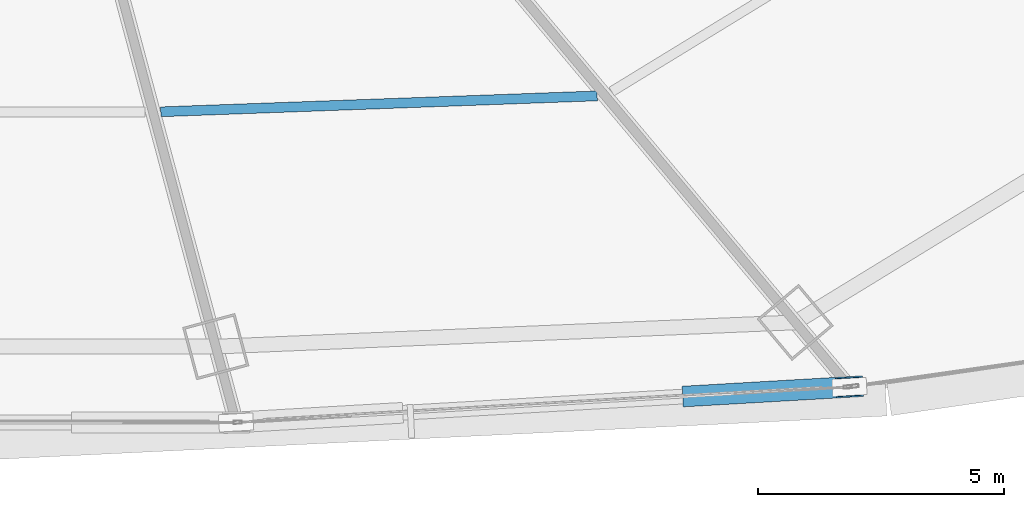
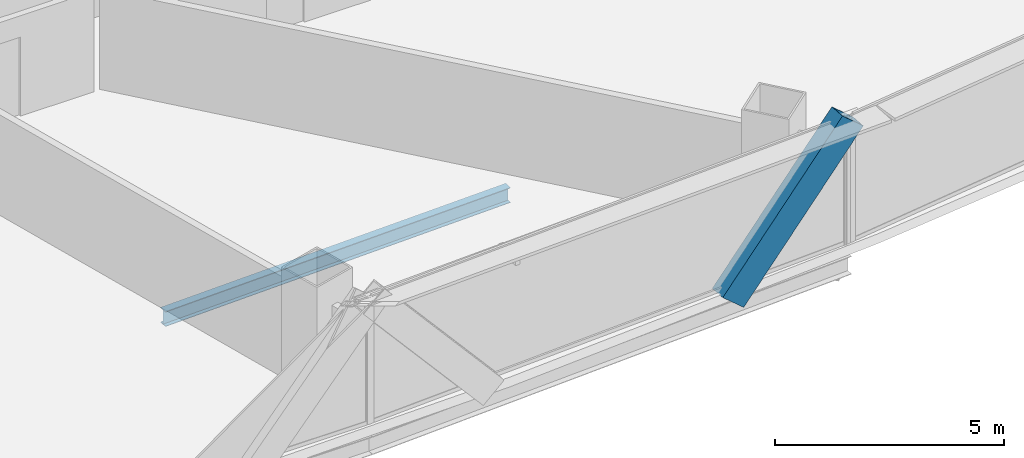
# One storey, part 11 of 42: 1 beam, 1 member.
"""IFC4 building model written with IfcOpenShell, lengths in metres."""

from ifc_helpers import new_model, si_unit, direction, frame, origin, origin_2d, place, context, subcontext, project, spatial, hollow_rectangle, i_section, extrude, source, transform, mapped, material, material_profile, profile_set, type_object, element, save


model = new_model("IFC4")

# Units and contexts
model_context = context("Model", 3, precision=1e-05, world=origin(), true_north=direction((0.0, 1.0)))
body_context = subcontext(model_context, "Body", "Model", "MODEL_VIEW")
ifc_project = project(units=[si_unit("LENGTHUNIT", "METRE"), si_unit("AREAUNIT", "SQUARE_METRE"), si_unit("VOLUMEUNIT", "CUBIC_METRE"), si_unit("PLANEANGLEUNIT", "RADIAN"), si_unit("MASSUNIT", "GRAM", prefix="KILO"), si_unit("THERMODYNAMICTEMPERATUREUNIT", "KELVIN"), si_unit("POWERUNIT", "WATT")], contexts=[model_context])

# Site, building, storey
site_placement = place(None, origin())
site = spatial("IfcSite", under=ifc_project, at=site_placement, CompositionType="ELEMENT")
building_placement = place(site_placement, origin())
building = spatial("IfcBuilding", under=site, at=building_placement, Name="Yunzhuo Pagoda Commons", CompositionType="ELEMENT")
storey_placement = place(building_placement, frame((0.0, 0.0, 44.919921875)))
storey = spatial("IfcBuildingStorey", under=building, at=storey_placement, Name="L11", CompositionType="ELEMENT", Elevation=44.919921875)

# Beam
ifc_material_1 = material(Name="Structural steel Q355B", Category="steel")
ifc_material_profile_1 = material_profile(ifc_material_1, i_section(OverallWidth=0.199951171875, OverallDepth=0.39990234375, WebThickness=0.008056640625, FlangeThickness=0.012939453125, at=origin_2d()), Name="Structural steel Q355B")
ifc_profile_set_1 = profile_set([ifc_material_profile_1], Name="Structural steel Q355B")
beam_type = type_object("IfcBeamType", Name="B-JS1 Joist HN 400x200x8x13", PredefinedType="JOIST", material=ifc_profile_set_1)
shared_shape_1 = source(origin(), body_context, "Body", "SweptSolid", [
    extrude(i_section(OverallWidth=0.199951171875, OverallDepth=0.39990234375, WebThickness=0.008056640625, FlangeThickness=0.012939453125, at=origin_2d()), origin(), (0.0, 0.0, 1.0), 8.876953125),
])
beam_placement = place(storey_placement, frame((52.601806640625, 17.125, -0.4599609375), z_axis=(0.999335806416, 0.036440993601, 0.0), x_axis=(-0.036440993601, 0.999335806416, 0.0)))
element("IfcBeam", 1, at=beam_placement, inside=storey, type_object=beam_type, Name="L11 composite ring joist 2.3", PredefinedType="JOIST", context=body_context, shape_type="MappedRepresentation", body=[
    mapped(shared_shape_1, transform((0.0, 0.0, 0.0), scale=1.0)),
])

# Member
ifc_material_2 = material(Name="Structural steel Q420B", Category="steel")
ifc_material_profile_2 = material_profile(ifc_material_2, hollow_rectangle(XDim=0.419921875, YDim=0.719970703125, WallThickness=0.028076171875, at=origin_2d()), Name="Structural steel Q420B")
ifc_profile_set_2 = profile_set([ifc_material_profile_2], Name="Structural steel Q420B")
member_type = type_object("IfcMemberType", Name="M-DL1 Brace BOX 720x420x28", PredefinedType="BRACE", material=ifc_profile_set_2)
shared_shape_2 = source(origin(), body_context, "Body", "SweptSolid", [
    extrude(hollow_rectangle(XDim=0.419921875, YDim=0.719970703125, WallThickness=0.028076171875, at=origin_2d()), origin(), (0.0, 0.0, 1.0), 4.7880859375),
])
member_placement = place(storey_placement, frame((63.4833984375, 11.3525390625, -0.260009765625), z_axis=(0.650979815846, 0.037681059286, 0.758159229405), x_axis=(-0.057786879313, 0.998328942072, 0.0)))
element("IfcMember", 2, at=member_placement, inside=storey, type_object=member_type, Name="L11 facade diamond brace F1.3R", PredefinedType="BRACE", context=body_context, shape_type="MappedRepresentation", body=[
    mapped(shared_shape_2, transform((0.0, 0.0, 0.0), scale=1.0)),
])

save(model, "model.ifc")
